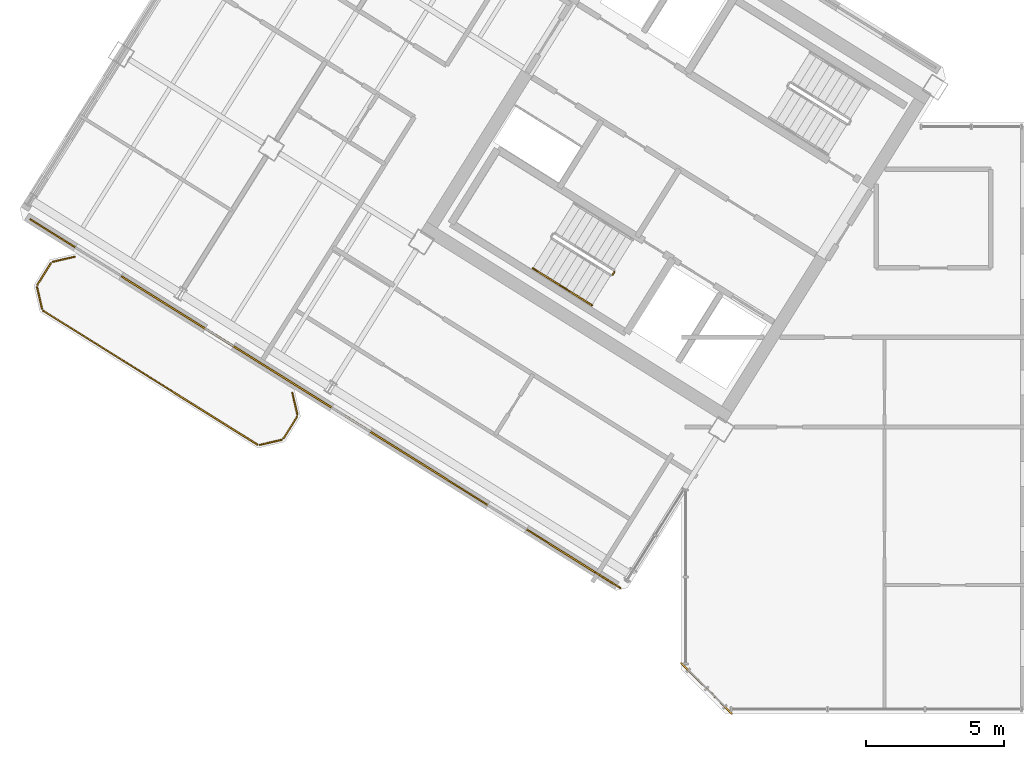
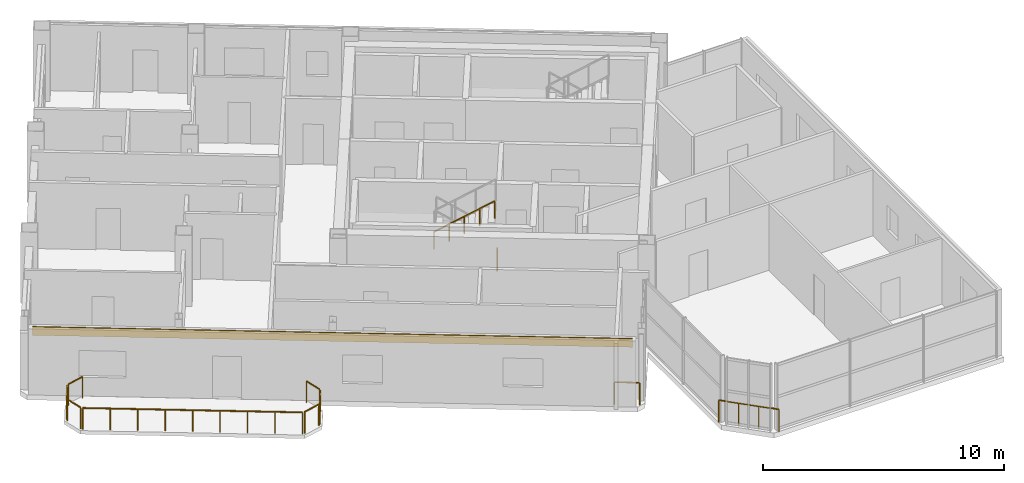
# One storey, part 10 of 13: 12 railings, 1 covering.
"""IFC4 building model written with IfcOpenShell, lengths in metres."""

from ifc_helpers import new_model, si_unit, direction, frame, origin, origin_2d, place, context, subcontext, project, spatial, rectangle, extrude, source, transform, mapped, material, layer, layer_set, type_object, element, save


model = new_model("IFC4")

# Units and contexts
model_context = context("Model", 3, precision=1e-05, world=origin(), true_north=direction((0.0, 1.0)))
body_context = subcontext(model_context, "Body", "Model", "MODEL_VIEW")
ifc_project = project(units=[si_unit("LENGTHUNIT", "METRE"), si_unit("AREAUNIT", "SQUARE_METRE"), si_unit("VOLUMEUNIT", "CUBIC_METRE"), si_unit("PLANEANGLEUNIT", "RADIAN"), si_unit("MASSUNIT", "GRAM", prefix="KILO")], contexts=[model_context])

# Site, building, storey
site_placement = place(None, origin())
site = spatial("IfcSite", under=ifc_project, at=site_placement, CompositionType="ELEMENT")
building_placement = place(site_placement, origin())
building = spatial("IfcBuilding", under=site, at=building_placement, Name="Tlacorven Tower", CompositionType="ELEMENT")
storey_placement = place(building_placement, frame((0.0, 0.0, 291.60009765625)))
storey = spatial("IfcBuildingStorey", under=building, at=storey_placement, Name="L74", CompositionType="ELEMENT", Elevation=291.60009765625)

# Railings
ifc_material_1 = material(Name="Aluminium and painted steel balustrade", Category="steel")
railing_type_1 = type_object("IfcRailingType", Name="RL-BAL-1100", PredefinedType="BALUSTRADE", material=ifc_material_1)
shared_shape_1 = source(origin(), body_context, "Body", "SweptSolid", [
    extrude(rectangle(XDim=0.048095703125, YDim=0.048095703125, at=origin_2d()), frame((0.0, 0.0, 1.076171875), z_axis=(0.225058334816, -0.974345290916, 0.0), x_axis=(0.974345290916, 0.225058334816, 0.0)), (0.0, 0.0, 1.0), 0.80712890625),
    extrude(rectangle(XDim=0.0419921875, YDim=0.0419921875, at=origin_2d()), origin(), (0.0, 0.0, 1.0), 1.052001953125),
    extrude(rectangle(XDim=0.0419921875, YDim=0.0419921875, at=origin_2d()), frame((0.181640625, -0.786376953125, 0.0)), (0.0, 0.0, 1.0), 1.052001953125),
])
railing_1_placement = place(storey_placement, frame((17.5244140625, 13.413330078125, 0.0)))
element("IfcRailing", 1, at=railing_1_placement, inside=storey, type_object=railing_type_1, Name="BAL-L74-W-OUT Guard Railing 1", PredefinedType="BALUSTRADE", context=body_context, shape_type="MappedRepresentation", body=[
    mapped(shared_shape_1, transform((0.0, 0.0, 0.0), scale=1.0)),
])
shared_shape_2 = source(origin(), body_context, "Body", "SweptSolid", [
    extrude(rectangle(XDim=0.048095703125, YDim=0.048095703125, at=origin_2d()), frame((0.0, 0.0, 1.076171875), z_axis=(-0.52987865805, -0.848073468364, 0.0), x_axis=(0.848073468364, -0.52987865805, 0.0)), (0.0, 0.0, 1.0), 0.912353515625),
    extrude(rectangle(XDim=0.0419921875, YDim=0.0419921875, at=origin_2d()), origin(), (0.0, 0.0, 1.0), 1.052001953125),
    extrude(rectangle(XDim=0.0419921875, YDim=0.0419921875, at=origin_2d()), frame((-0.4833984375, -0.773681640625, 0.0)), (0.0, 0.0, 1.0), 1.052001953125),
])
railing_2_placement = place(storey_placement, frame((17.690673828125, 12.535888671875, 0.0)))
element("IfcRailing", 2, at=railing_2_placement, inside=storey, type_object=railing_type_1, Name="BAL-L74-W-OUT Guard Railing 2", PredefinedType="BALUSTRADE", context=body_context, shape_type="MappedRepresentation", body=[
    mapped(shared_shape_2, transform((0.0, 0.0, 0.0), scale=1.0)),
])
shared_shape_3 = source(origin(), body_context, "Body", "SweptSolid", [
    extrude(rectangle(XDim=0.048095703125, YDim=0.048095703125, at=origin_2d()), frame((0.0, 0.0, 1.076171875), z_axis=(-0.974411586182, -0.224771129628, 0.0), x_axis=(0.224771129628, -0.974411586182, 0.0)), (0.0, 0.0, 1.0), 0.80712890625),
    extrude(rectangle(XDim=0.0419921875, YDim=0.0419921875, at=origin_2d()), origin(), (0.0, 0.0, 1.0), 1.052001953125),
    extrude(rectangle(XDim=0.0419921875, YDim=0.0419921875, at=origin_2d()), frame((-0.786376953125, -0.181396484375, 0.0)), (0.0, 0.0, 1.0), 1.052001953125),
])
railing_3_placement = place(storey_placement, frame((17.132080078125, 11.70849609375, 0.0)))
element("IfcRailing", 3, at=railing_3_placement, inside=storey, type_object=railing_type_1, Name="BAL-L74-W-OUT Guard Railing 3", PredefinedType="BALUSTRADE", context=body_context, shape_type="MappedRepresentation", body=[
    mapped(shared_shape_3, transform((0.0, 0.0, 0.0), scale=1.0)),
])
shared_shape_4 = source(origin(), body_context, "Body", "SweptSolid", [
    extrude(rectangle(XDim=0.048095703125, YDim=0.048095703125, at=origin_2d()), frame((0.0, 0.0, 1.076171875), z_axis=(-0.225058334816, 0.974345290916, 0.0), x_axis=(-0.974345290916, -0.225058334816, 0.0)), (0.0, 0.0, 1.0), 0.80712890625),
    extrude(rectangle(XDim=0.0419921875, YDim=0.0419921875, at=origin_2d()), origin(), (0.0, 0.0, 1.0), 1.052001953125),
    extrude(rectangle(XDim=0.0419921875, YDim=0.0419921875, at=origin_2d()), frame((-0.181640625, 0.786376953125, 0.0)), (0.0, 0.0, 1.0), 1.052001953125),
])
railing_4_placement = place(storey_placement, frame((8.46923828125, 16.448974609375, 0.0)))
element("IfcRailing", 4, at=railing_4_placement, inside=storey, type_object=railing_type_1, Name="BAL-L74-W-OUT Guard Railing 5", PredefinedType="BALUSTRADE", context=body_context, shape_type="MappedRepresentation", body=[
    mapped(shared_shape_4, transform((0.0, 0.0, 0.0), scale=1.0)),
])
railing_type_2 = type_object("IfcRailingType", Name="RL-GRD-1150", PredefinedType="GUARDRAIL", material=ifc_material_1)
shared_shape_5 = source(origin(), body_context, "Body", "SweptSolid", [
    extrude(rectangle(XDim=0.048095703125, YDim=0.048095703125, at=origin_2d()), frame((0.0, 0.0, 1.1259765625), z_axis=(-0.707106781187, 0.707106781187, 0.0), x_axis=(-0.707106781187, -0.707106781187, 0.0)), (0.0, 0.0, 1.0), 2.590087890625),
    extrude(rectangle(XDim=0.0419921875, YDim=0.0419921875, at=origin_2d()), origin(), (0.0, 0.0, 1.0), 1.101806640625),
    extrude(rectangle(XDim=0.0419921875, YDim=0.0419921875, at=origin_2d()), frame((-0.610595703125, 0.610595703125, 0.0)), (0.0, 0.0, 1.0), 1.101806640625),
    extrude(rectangle(XDim=0.0419921875, YDim=0.0419921875, at=origin_2d()), frame((-1.220947265625, 1.220947265625, 0.0)), (0.0, 0.0, 1.0), 1.101806640625),
    extrude(rectangle(XDim=0.0419921875, YDim=0.0419921875, at=origin_2d()), frame((-1.83154296875, 1.83154296875, 0.0)), (0.0, 0.0, 1.0), 1.101806640625),
])
railing_5_placement = place(storey_placement, frame((33.428955078125, 1.79736328125, 0.0)))
element("IfcRailing", 5, at=railing_5_placement, inside=storey, type_object=railing_type_2, Name="L74 Knuckle Glazed Sill Guard 1", PredefinedType="GUARDRAIL", context=body_context, shape_type="MappedRepresentation", body=[
    mapped(shared_shape_5, transform((0.0, 0.0, 0.0), scale=1.0)),
])
shared_shape_6 = source(origin(), body_context, "Body", "SweptSolid", [
    extrude(rectangle(XDim=0.048095703125, YDim=0.048095703125, at=origin_2d()), frame((0.0, 0.0, 1.1259765625), z_axis=(-0.848102774857, 0.529831749973, 0.0), x_axis=(-0.529831749973, -0.848102774857, 0.0)), (0.0, 0.0, 1.0), 1.050048828125),
    extrude(rectangle(XDim=0.0419921875, YDim=0.0419921875, at=origin_2d()), origin(), (0.0, 0.0, 1.0), 1.101806640625),
    extrude(rectangle(XDim=0.0419921875, YDim=0.0419921875, at=origin_2d()), frame((-0.890625, 0.556396484375, 0.0)), (0.0, 0.0, 1.0), 1.101806640625),
])
railing_6_placement = place(storey_placement, frame((29.39501953125, 6.35009765625, 0.0)))
element("IfcRailing", 6, at=railing_6_placement, inside=storey, type_object=railing_type_2, Name="L74 Knuckle Glazed Sill Guard 2", PredefinedType="GUARDRAIL", context=body_context, shape_type="MappedRepresentation", body=[
    mapped(shared_shape_6, transform((0.0, 0.0, 0.0), scale=1.0)),
])
shared_shape_7 = source(origin(), body_context, "Body", "SweptSolid", [
    extrude(rectangle(XDim=0.048095703125, YDim=0.048095703125, at=origin_2d()), frame((0.0, 0.0, 1.076171875), z_axis=(-0.848047945797, 0.529919504859, 0.0), x_axis=(-0.529919504859, -0.848047945797, 0.0)), (0.0, 0.0, 1.0), 9.116943359375),
    extrude(rectangle(XDim=0.0419921875, YDim=0.0419921875, at=origin_2d()), origin(), (0.0, 0.0, 1.0), 1.052001953125),
    extrude(rectangle(XDim=0.0419921875, YDim=0.0419921875, at=origin_2d()), frame((-0.966552734375, 0.60400390625, 0.0)), (0.0, 0.0, 1.0), 1.052001953125),
    extrude(rectangle(XDim=0.0419921875, YDim=0.0419921875, at=origin_2d()), frame((-1.932861328125, 1.207763671875, 0.0)), (0.0, 0.0, 1.0), 1.052001953125),
    extrude(rectangle(XDim=0.0419921875, YDim=0.0419921875, at=origin_2d()), frame((-2.8994140625, 1.811767578125, 0.0)), (0.0, 0.0, 1.0), 1.052001953125),
    extrude(rectangle(XDim=0.0419921875, YDim=0.0419921875, at=origin_2d()), frame((-3.86572265625, 2.41552734375, 0.0)), (0.0, 0.0, 1.0), 1.052001953125),
    extrude(rectangle(XDim=0.0419921875, YDim=0.0419921875, at=origin_2d()), frame((-4.832275390625, 3.01953125, 0.0)), (0.0, 0.0, 1.0), 1.052001953125),
    extrude(rectangle(XDim=0.0419921875, YDim=0.0419921875, at=origin_2d()), frame((-5.798828125, 3.62353515625, 0.0)), (0.0, 0.0, 1.0), 1.052001953125),
    extrude(rectangle(XDim=0.0419921875, YDim=0.0419921875, at=origin_2d()), frame((-6.76513671875, 4.227294921875, 0.0)), (0.0, 0.0, 1.0), 1.052001953125),
    extrude(rectangle(XDim=0.0419921875, YDim=0.0419921875, at=origin_2d()), frame((-7.731689453125, 4.831298828125, 0.0)), (0.0, 0.0, 1.0), 1.052001953125),
])
railing_7_placement = place(storey_placement, frame((16.254638671875, 11.542236328125, 0.0)))
element("IfcRailing", 7, at=railing_7_placement, inside=storey, type_object=railing_type_1, Name="BAL-L74-W-OUT Guard Railing 4", PredefinedType="BALUSTRADE", context=body_context, shape_type="MappedRepresentation", body=[
    mapped(shared_shape_7, transform((0.0, 0.0, 0.0), scale=1.0)),
])
shared_shape_8 = source(origin(), body_context, "Body", "SweptSolid", [
    extrude(rectangle(XDim=0.048095703125, YDim=0.048095703125, at=origin_2d()), frame((0.0, 0.0, 1.076171875), z_axis=(0.529806412759, 0.848118603144, 0.0), x_axis=(-0.848118603144, 0.529806412759, 0.0)), (0.0, 0.0, 1.0), 0.911865234375),
    extrude(rectangle(XDim=0.0419921875, YDim=0.0419921875, at=origin_2d()), origin(), (0.0, 0.0, 1.0), 1.052001953125),
    extrude(rectangle(XDim=0.0419921875, YDim=0.0419921875, at=origin_2d()), frame((0.483154296875, 0.7734375, 0.0)), (0.0, 0.0, 1.0), 1.052001953125),
])
railing_8_placement = place(storey_placement, frame((8.302978515625, 17.326416015625, 0.0)))
element("IfcRailing", 8, at=railing_8_placement, inside=storey, type_object=railing_type_1, Name="BAL-L74-W-OUT Guard Railing 6", PredefinedType="BALUSTRADE", context=body_context, shape_type="MappedRepresentation", body=[
    mapped(shared_shape_8, transform((0.0, 0.0, 0.0), scale=1.0)),
])
shared_shape_9 = source(origin(), body_context, "Body", "SweptSolid", [
    extrude(rectangle(XDim=0.048095703125, YDim=0.048095703125, at=origin_2d()), frame((0.0, 0.0, 1.076171875), z_axis=(0.974360606036, 0.224992020761, 0.0), x_axis=(-0.224992020761, 0.974360606036, 0.0)), (0.0, 0.0, 1.0), 0.807373046875),
    extrude(rectangle(XDim=0.0419921875, YDim=0.0419921875, at=origin_2d()), origin(), (0.0, 0.0, 1.0), 1.052001953125),
    extrude(rectangle(XDim=0.0419921875, YDim=0.0419921875, at=origin_2d()), frame((0.78662109375, 0.181640625, 0.0)), (0.0, 0.0, 1.0), 1.052001953125),
])
railing_9_placement = place(storey_placement, frame((8.861328125, 18.153564453125, 0.0)))
element("IfcRailing", 9, at=railing_9_placement, inside=storey, type_object=railing_type_1, Name="BAL-L74-W-OUT Guard Railing 7", PredefinedType="BALUSTRADE", context=body_context, shape_type="MappedRepresentation", body=[
    mapped(shared_shape_9, transform((0.0, 0.0, 0.0), scale=1.0)),
])

# Covering
ifc_material_2 = material(Name="Precast concrete C45/55", Category="concrete")
ifc_layer = layer(ifc_material_2, 0.06005859375)
ifc_layer_set = layer_set([ifc_layer], Name="Precast concrete C45/55")
covering_type = type_object("IfcCoveringType", Name="CV-CLD-TERC", PredefinedType="CLADDING", material=ifc_layer_set)
shared_shape_10 = source(origin(), body_context, "Body", "SweptSolid", [
    extrude(rectangle(XDim=24.887451171875, YDim=0.06005859375, at=origin_2d()), origin(), (0.0, 0.0, 1.0), 0.419921875),
])
covering_placement = place(storey_placement, frame((18.587646484375, 13.10302734375, 2.929931640625), z_axis=(0.0, 0.0, 1.0), x_axis=(-0.848048045547, 0.529919345226, 0.0)))
element("IfcCovering", 10, at=covering_placement, inside=storey, type_object=covering_type, Name="L74 Masonry-Frame Spandrel Cladding 2", PredefinedType="CLADDING", context=body_context, shape_type="MappedRepresentation", body=[
    mapped(shared_shape_10, transform((0.0, 0.0, 0.0), scale=1.0)),
])

# Railings
railing_type_3 = type_object("IfcRailingType", Name="RL-GRD-1100", PredefinedType="GUARDRAIL", material=ifc_material_1)
shared_shape_11 = source(origin(), body_context, "Body", "SweptSolid", [
    extrude(rectangle(XDim=0.048095703125, YDim=0.048095703125, at=origin_2d()), frame((0.0, 0.0, 1.076171875), z_axis=(-0.529084052582, -0.848569422795, 0.0), x_axis=(0.848569422795, -0.529084052582, 0.0)), (0.0, 0.0, 1.0), 0.119873046875),
    extrude(rectangle(XDim=0.0419921875, YDim=0.0419921875, at=origin_2d()), origin(), (0.0, 0.0, 1.0), 1.052001953125),
    extrude(rectangle(XDim=0.0419921875, YDim=0.0419921875, at=origin_2d()), frame((-0.0634765625, -0.101806640625, 0.0)), (0.0, 0.0, 1.0), 1.052001953125),
])
railing_10_placement = place(storey_placement, frame((29.176513671875, 17.782958984375, 0.0)))
element("IfcRailing", 11, at=railing_10_placement, inside=storey, type_object=railing_type_3, Name="L74 ST-W1 stair guard 4", PredefinedType="GUARDRAIL", context=body_context, shape_type="MappedRepresentation", body=[
    mapped(shared_shape_11, transform((0.0, 0.0, 0.0), scale=1.0)),
])
railing_type_4 = type_object("IfcRailingType", Name="RL-HND-0900", PredefinedType="HANDRAIL", material=ifc_material_1)
shared_shape_12 = source(origin(), body_context, "Body", "SweptSolid", [
    extrude(rectangle(XDim=0.048095703125, YDim=0.048095703125, at=origin_2d()), frame((0.0, 0.0, 0.8759765625), z_axis=(0.713279695859, -0.445799809912, 0.540827703579), x_axis=(0.529998940003, 0.847998304005, 0.0)), (0.0, 0.0, 1.0), 1.497802734375),
    extrude(rectangle(XDim=0.0419921875, YDim=0.0419921875, at=origin_2d()), origin(), (0.0, 0.0, 1.0), 0.851806640625),
    extrude(rectangle(XDim=0.0419921875, YDim=0.0419921875, at=origin_2d()), frame((0.5341796875, -0.333984375, 0.405029296875)), (0.0, 0.0, 1.0), 0.851806640625),
    extrude(rectangle(XDim=0.0419921875, YDim=0.0419921875, at=origin_2d()), frame((1.068359375, -0.667724609375, 0.81005859375)), (0.0, 0.0, 1.0), 0.851806640625),
])
railing_11_placement = place(storey_placement, frame((27.29736328125, 17.24755859375, 2.789794921875)))
element("IfcRailing", 12, at=railing_11_placement, inside=storey, type_object=railing_type_4, Name="L74 ST-W1 stair handrail 4", PredefinedType="HANDRAIL", context=body_context, shape_type="MappedRepresentation", body=[
    mapped(shared_shape_12, transform((0.0, 0.0, 0.0), scale=1.0)),
])
shared_shape_13 = source(origin(), body_context, "Body", "SweptSolid", [
    extrude(rectangle(XDim=0.048095703125, YDim=0.048095703125, at=origin_2d()), frame((0.0, 0.0, 0.8759765625), z_axis=(0.713422621445, -0.445787267455, 0.540649494022), x_axis=(0.529911857636, 0.848052724267, 0.0)), (0.0, 0.0, 1.0), 1.497802734375),
    extrude(rectangle(XDim=0.0419921875, YDim=0.0419921875, at=origin_2d()), origin(), (0.0, 0.0, 1.0), 0.851806640625),
    extrude(rectangle(XDim=0.0419921875, YDim=0.0419921875, at=origin_2d()), frame((0.5341796875, -0.333984375, 0.40478515625)), (0.0, 0.0, 1.0), 0.851806640625),
    extrude(rectangle(XDim=0.0419921875, YDim=0.0419921875, at=origin_2d()), frame((1.068603515625, -0.667724609375, 0.809814453125)), (0.0, 0.0, 1.0), 0.851806640625),
])
railing_12_placement = place(storey_placement, frame((26.228759765625, 17.915283203125, 1.97998046875)))
element("IfcRailing", 13, at=railing_12_placement, inside=storey, type_object=railing_type_4, Name="L74 ST-W1 stair handrail 3", PredefinedType="HANDRAIL", context=body_context, shape_type="MappedRepresentation", body=[
    mapped(shared_shape_13, transform((0.0, 0.0, 0.0), scale=1.0)),
])

save(model, "model.ifc")
